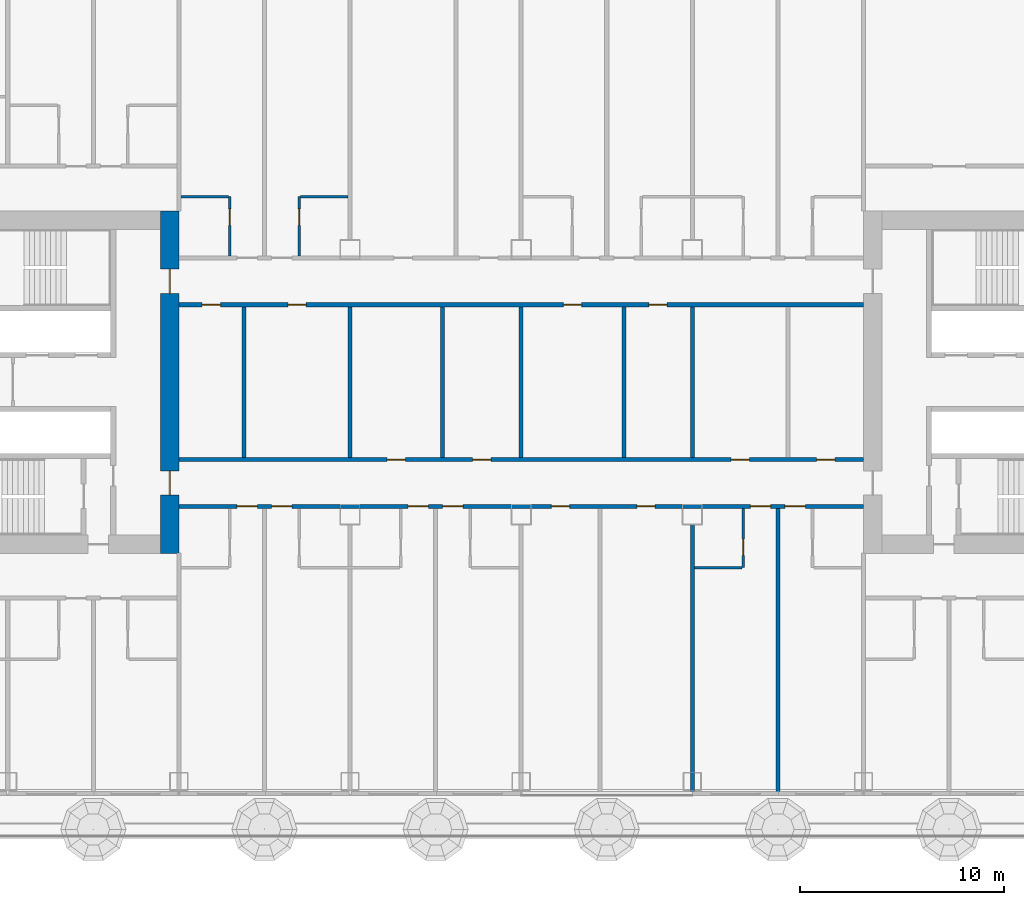
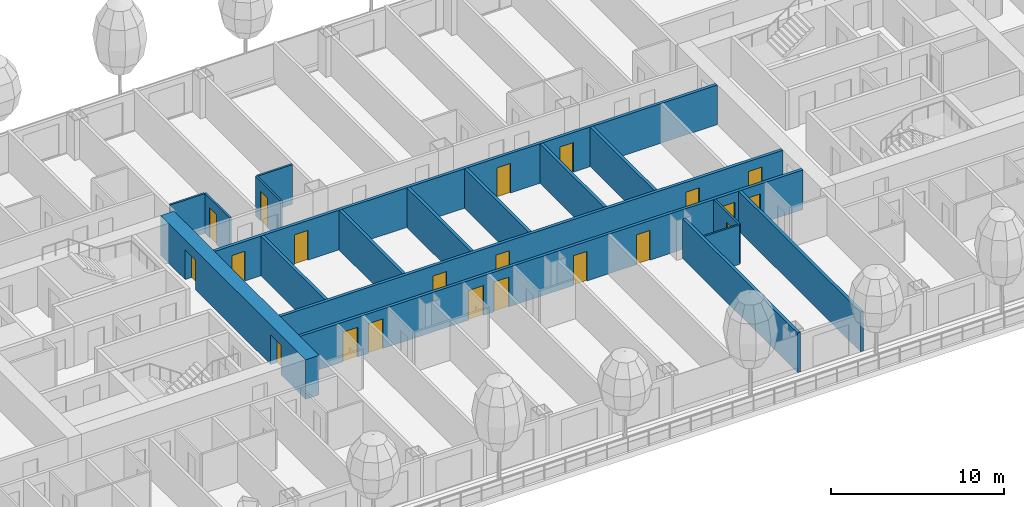
# One storey, part 16 of 37: 21 doors, 18 walls, 21 openings.
"""IFC4 building model written with IfcOpenShell, lengths in metres."""

from ifc_helpers import new_model, si_unit, direction, frame, frame_2d, origin, place, context, subcontext, project, spatial, rectangle, extrude, material, layer, layer_set, type_object, element, fill, save


model = new_model("IFC4")

# Units and contexts
model_context = context("Model", 3, precision=1e-05, world=origin(), true_north=direction((0.0, 1.0)))
body_context = subcontext(model_context, "Body", "Model", "MODEL_VIEW")
ifc_project = project(units=[si_unit("LENGTHUNIT", "METRE"), si_unit("AREAUNIT", "SQUARE_METRE"), si_unit("VOLUMEUNIT", "CUBIC_METRE"), si_unit("PLANEANGLEUNIT", "RADIAN"), si_unit("MASSUNIT", "GRAM", prefix="KILO")], contexts=[model_context])

# Site, building, storey
site_placement = place(None, origin())
site = spatial("IfcSite", under=ifc_project, at=site_placement, CompositionType="ELEMENT")
building_placement = place(site_placement, origin())
building = spatial("IfcBuilding", under=site, at=building_placement, Name="Hakoniwa Tower and Hamabe Station Hall", CompositionType="ELEMENT")
storey_placement = place(building_placement, frame((0.0, 0.0, 39.0)))
storey = spatial("IfcBuildingStorey", under=building, at=storey_placement, Name="L10", CompositionType="ELEMENT", Elevation=39.0)

# Walls
ifc_material_1 = material(Name="Gypsum board partition", Category="gypsum")
ifc_layer_1 = layer(ifc_material_1, 0.125)
ifc_layer_set_1 = layer_set([ifc_layer_1], Name="Bathroom Partition 125")
wall_type_1 = type_object("IfcWallType", Name="Bathroom Partition 125", PredefinedType="PARTITIONING", material=ifc_layer_set_1)
for number, where, z_axis, x_axis, name in (
    (1, (8.5, -9.10009765625, 0.0), (0.0, 0.0, 1.0), (1.0, 0.0, 0.0), "GW-L10-016"),
    (2, (-16.699951171875, 9.10009765625, 0.0), (0.0, 0.0, 1.0), (1.0, 0.0, 0.0), "GW-L10-033"),
    (3, (-10.83740234375, 9.10009765625, 0.0), (0.0, 0.0, 1.0), (1.0, 0.0, 0.0), "GW-L10-034"),
):
    element("IfcWall", number, at=place(storey_placement, frame(where, z_axis=z_axis, x_axis=x_axis)), inside=storey, type_object=wall_type_1, Name=name, PredefinedType="PARTITIONING", context=body_context, shape_type="SweptSolid", body=[
        extrude(rectangle(XDim=2.33740234375, YDim=0.125, at=frame_2d((1.168701171875, 0.0))), origin(), (0.0, 0.0, 1.0), 2.800048828125),
    ])

# Wall, opening, door
wall_1_placement = place(storey_placement, frame((-14.300048828125, 6.199951171875, 0.0), z_axis=(0.0, 0.0, 1.0), x_axis=(0.0, 1.0, 0.0)))
wall_1 = element("IfcWall", 4, at=wall_1_placement, inside=storey, type_object=wall_type_1, Name="GW-L10-079", PredefinedType="PARTITIONING", context=body_context, shape_type="SweptSolid", body=[
    extrude(rectangle(XDim=2.900146484375, YDim=0.125, at=frame_2d((1.4501953125, 0.0))), origin(), (0.0, 0.0, 1.0), 2.800048828125),
])
opening_1_placement = place(wall_1_placement, frame((1.5, 0.0, 0.0)))
opening_1 = element("IfcOpeningElement", 5, at=opening_1_placement, cuts=wall_1, Name="Opening GD-G1B1-79", PredefinedType="OPENING", context=body_context, shape_type="SweptSolid", body=[
    extrude(rectangle(XDim=0.800048828125, YDim=2.10009765625, at=frame_2d((0.39990234375, 1.050048828125))), frame((0.0, 0.072509765625, 0.0), z_axis=(0.0, -1.0, 0.0), x_axis=(1.0, 0.0, 0.0)), (0.0, 0.0, 1.0), 0.14501953125),
])
ifc_material_2 = material(Name="Timber door leaf", Category="wood")
door_type_1 = type_object("IfcDoorType", Name="Bathroom Door 800", OperationType="SINGLE_SWING_LEFT", PredefinedType="DOOR", material=ifc_material_2)
door_1_placement = place(opening_1_placement, origin())
door_1 = element("IfcDoor", 6, at=door_1_placement, inside=storey, type_object=door_type_1, Name="Door GD-G1B1-79", OperationType="SINGLE_SWING_LEFT", OverallHeight=2.10009765625, OverallWidth=0.800048828125, PredefinedType="DOOR", context=body_context, shape_type="SweptSolid", body=[
    extrude(rectangle(XDim=0.800048828125, YDim=2.10009765625, at=frame_2d((0.39990234375, 1.050048828125))), frame((0.0, 0.02490234375, 0.0), z_axis=(0.0, -1.0, 0.0), x_axis=(1.0, 0.0, 0.0)), (0.0, 0.0, 1.0), 0.050048828125),
])
fill(opening_1, door_1)

wall_2_placement = place(storey_placement, frame((-10.89990234375, 6.199951171875, 0.0), z_axis=(0.0, 0.0, 1.0), x_axis=(0.0, 1.0, 0.0)))
wall_2 = element("IfcWall", 7, at=wall_2_placement, inside=storey, type_object=wall_type_1, Name="GW-L10-084", PredefinedType="PARTITIONING", context=body_context, shape_type="SweptSolid", body=[
    extrude(rectangle(XDim=2.900146484375, YDim=0.125, at=frame_2d((1.4501953125, 0.0))), origin(), (0.0, 0.0, 1.0), 2.800048828125),
])
opening_2_placement = place(wall_2_placement, frame((1.5, 0.0, 0.0)))
opening_2 = element("IfcOpeningElement", 8, at=opening_2_placement, cuts=wall_2, Name="Opening GD-G1B1-81", PredefinedType="OPENING", context=body_context, shape_type="SweptSolid", body=[
    extrude(rectangle(XDim=0.800048828125, YDim=2.10009765625, at=frame_2d((0.39990234375, 1.050048828125))), frame((0.0, 0.072509765625, 0.0), z_axis=(0.0, -1.0, 0.0), x_axis=(1.0, 0.0, 0.0)), (0.0, 0.0, 1.0), 0.14501953125),
])
door_2_placement = place(opening_2_placement, origin())
door_2 = element("IfcDoor", 9, at=door_2_placement, inside=storey, type_object=door_type_1, Name="Door GD-G1B1-81", OperationType="SINGLE_SWING_RIGHT", OverallHeight=2.10009765625, OverallWidth=0.800048828125, PredefinedType="DOOR", context=body_context, shape_type="SweptSolid", body=[
    extrude(rectangle(XDim=0.800048828125, YDim=2.10009765625, at=frame_2d((0.39990234375, 1.050048828125))), frame((0.0, 0.02490234375, 0.0), z_axis=(0.0, -1.0, 0.0), x_axis=(1.0, 0.0, 0.0)), (0.0, 0.0, 1.0), 0.050048828125),
])
fill(opening_2, door_2)

wall_3_placement = place(storey_placement, frame((10.89990234375, -9.10009765625, 0.0), z_axis=(0.0, 0.0, 1.0), x_axis=(0.0, 1.0, 0.0)))
wall_3 = element("IfcWall", 10, at=wall_3_placement, inside=storey, type_object=wall_type_1, Name="GW-L10-104", PredefinedType="PARTITIONING", context=body_context, shape_type="SweptSolid", body=[
    extrude(rectangle(XDim=2.900146484375, YDim=0.125, at=frame_2d((1.4501953125, 0.0))), origin(), (0.0, 0.0, 1.0), 2.800048828125),
])
opening_3_placement = place(wall_3_placement, frame((0.60009765625, 0.0, 0.0)))
opening_3 = element("IfcOpeningElement", 11, at=opening_3_placement, cuts=wall_3, Name="Opening GD-G1B1-86", PredefinedType="OPENING", context=body_context, shape_type="SweptSolid", body=[
    extrude(rectangle(XDim=0.800048828125, YDim=2.10009765625, at=frame_2d((0.39990234375, 1.050048828125))), frame((0.0, 0.072509765625, 0.0), z_axis=(0.0, -1.0, 0.0), x_axis=(1.0, 0.0, 0.0)), (0.0, 0.0, 1.0), 0.14501953125),
])
door_3_placement = place(opening_3_placement, origin())
door_3 = element("IfcDoor", 12, at=door_3_placement, inside=storey, type_object=door_type_1, Name="Door GD-G1B1-86", OperationType="SINGLE_SWING_RIGHT", OverallHeight=2.10009765625, OverallWidth=0.800048828125, PredefinedType="DOOR", context=body_context, shape_type="SweptSolid", body=[
    extrude(rectangle(XDim=0.800048828125, YDim=2.10009765625, at=frame_2d((0.39990234375, 1.050048828125))), frame((0.0, 0.02490234375, 0.0), z_axis=(0.0, -1.0, 0.0), x_axis=(1.0, 0.0, 0.0)), (0.0, 0.0, 1.0), 0.050048828125),
])
fill(opening_3, door_3)

# Wall, openings, doors
ifc_material_3 = material(Name="Concrete C80", Category="concrete")
ifc_layer_2 = layer(ifc_material_3, 0.89990234375)
ifc_layer_set_2 = layer_set([ifc_layer_2], Name="CORE WALL 900 C80")
wall_type_2 = type_object("IfcWallType", Name="CORE WALL 900 C80", PredefinedType="SHEAR", material=ifc_layer_set_2)
wall_4_placement = place(storey_placement, frame((-17.25, -8.39990234375, 0.0), z_axis=(0.0, 0.0, 1.0), x_axis=(0.0, 1.0, 0.0)))
wall_4 = element("IfcWall", 13, at=wall_4_placement, inside=storey, type_object=wall_type_2, Name="Core wall INNER west", PredefinedType="SHEAR", context=body_context, shape_type="SweptSolid", body=[
    extrude(rectangle(XDim=16.7998046875, YDim=0.89990234375, at=frame_2d((8.39990234375, 0.0))), origin(), (0.0, 0.0, 1.0), 2.800048828125),
])
opening_4_placement = place(wall_4_placement, frame((12.75, 0.0, 0.0)))
opening_4 = element("IfcOpeningElement", 14, at=opening_4_placement, cuts=wall_4, Name="Opening CD-W-IN1-12", PredefinedType="OPENING", context=body_context, shape_type="SweptSolid", body=[
    extrude(rectangle(XDim=1.199951171875, YDim=2.10009765625, at=frame_2d((0.60009765625, 1.050048828125))), frame((0.0, 0.4599609375, 0.0), z_axis=(0.0, -1.0, 0.0), x_axis=(1.0, 0.0, 0.0)), (0.0, 0.0, 1.0), 0.919921875),
])
opening_5_placement = place(wall_4_placement, frame((2.85009765625, 0.0, 0.0)))
opening_5 = element("IfcOpeningElement", 15, at=opening_5_placement, cuts=wall_4, Name="Opening CD-W-IN2-12", PredefinedType="OPENING", context=body_context, shape_type="SweptSolid", body=[
    extrude(rectangle(XDim=1.199951171875, YDim=2.10009765625, at=frame_2d((0.60009765625, 1.050048828125))), frame((0.0, 0.4599609375, 0.0), z_axis=(0.0, -1.0, 0.0), x_axis=(1.0, 0.0, 0.0)), (0.0, 0.0, 1.0), 0.919921875),
])
ifc_material_4 = material(Name="Steel fire door", Category="steel")
door_type_2 = type_object("IfcDoorType", Name="CORE DOOR 1200 FD60", OperationType="DOUBLE_DOOR_SINGLE_SWING", PredefinedType="DOOR", material=ifc_material_4)
door_4_placement = place(opening_4_placement, origin())
door_4 = element("IfcDoor", 16, at=door_4_placement, inside=storey, type_object=door_type_2, Name="Lift lobby door", OperationType="DOUBLE_DOOR_SINGLE_SWING", OverallHeight=2.10009765625, OverallWidth=1.199951171875, PredefinedType="DOOR", context=body_context, shape_type="SweptSolid", body=[
    extrude(rectangle(XDim=1.199951171875, YDim=2.10009765625, at=frame_2d((0.60009765625, 1.050048828125))), frame((0.0, 0.02490234375, 0.0), z_axis=(0.0, -1.0, 0.0), x_axis=(1.0, 0.0, 0.0)), (0.0, 0.0, 1.0), 0.050048828125),
])
fill(opening_4, door_4)
door_5_placement = place(opening_5_placement, origin())
door_5 = element("IfcDoor", 17, at=door_5_placement, inside=storey, type_object=door_type_2, Name="Lift lobby door", OperationType="DOUBLE_DOOR_SINGLE_SWING", OverallHeight=2.10009765625, OverallWidth=1.199951171875, PredefinedType="DOOR", context=body_context, shape_type="SweptSolid", body=[
    extrude(rectangle(XDim=1.199951171875, YDim=2.10009765625, at=frame_2d((0.60009765625, 1.050048828125))), frame((0.0, 0.02490234375, 0.0), z_axis=(0.0, -1.0, 0.0), x_axis=(1.0, 0.0, 0.0)), (0.0, 0.0, 1.0), 0.050048828125),
])
fill(opening_5, door_5)

ifc_material_5 = material(Name="Fire-rated gypsum board partition", Category="gypsum")
ifc_layer_3 = layer(ifc_material_5, 0.199951171875)
ifc_layer_set_3 = layer_set([ifc_layer_3], Name="Corridor Wall 200")
wall_type_3 = type_object("IfcWallType", Name="Corridor Wall 200", PredefinedType="PARTITIONING", material=ifc_layer_set_3)
wall_5_placement = place(storey_placement, frame((-16.800048828125, -6.10009765625, 0.0), z_axis=(0.0, 0.0, 1.0), x_axis=(1.0, 0.0, 0.0)))
wall_5 = element("IfcWall", 18, at=wall_5_placement, inside=storey, type_object=wall_type_3, Name="GW-L10-020", PredefinedType="PARTITIONING", context=body_context, shape_type="SweptSolid", body=[
    extrude(rectangle(XDim=33.60009765625, YDim=0.199951171875, at=frame_2d((16.800048828125, 0.0))), origin(), (0.0, 0.0, 1.0), 2.800048828125),
])
opening_6_placement = place(wall_5_placement, frame((2.85009765625, 0.0, 0.0)))
opening_6 = element("IfcOpeningElement", 19, at=opening_6_placement, cuts=wall_5, Name="Opening GD-G1B1-21", PredefinedType="OPENING", context=body_context, shape_type="SweptSolid", body=[
    extrude(rectangle(XDim=1.0, YDim=2.10009765625, at=frame_2d((0.5, 1.050048828125))), frame((0.0, 0.10986328125, 0.0), z_axis=(0.0, -1.0, 0.0), x_axis=(1.0, 0.0, 0.0)), (0.0, 0.0, 1.0), 0.219970703125),
])
opening_7_placement = place(wall_5_placement, frame((4.550048828125, 0.0, 0.0)))
opening_7 = element("IfcOpeningElement", 20, at=opening_7_placement, cuts=wall_5, Name="Opening GD-G1B1-22", PredefinedType="OPENING", context=body_context, shape_type="SweptSolid", body=[
    extrude(rectangle(XDim=1.0, YDim=2.10009765625, at=frame_2d((0.5, 1.050048828125))), frame((0.0, 0.10986328125, 0.0), z_axis=(0.0, -1.0, 0.0), x_axis=(1.0, 0.0, 0.0)), (0.0, 0.0, 1.0), 0.219970703125),
])
opening_8_placement = place(wall_5_placement, frame((11.25, 0.0, 0.0)))
opening_8 = element("IfcOpeningElement", 21, at=opening_8_placement, cuts=wall_5, Name="Opening GD-G1B1-23", PredefinedType="OPENING", context=body_context, shape_type="SweptSolid", body=[
    extrude(rectangle(XDim=1.0, YDim=2.10009765625, at=frame_2d((0.5, 1.050048828125))), frame((0.0, 0.10986328125, 0.0), z_axis=(0.0, -1.0, 0.0), x_axis=(1.0, 0.0, 0.0)), (0.0, 0.0, 1.0), 0.219970703125),
])
opening_9_placement = place(wall_5_placement, frame((12.949951171875, 0.0, 0.0)))
opening_9 = element("IfcOpeningElement", 22, at=opening_9_placement, cuts=wall_5, Name="Opening GD-G1B1-24", PredefinedType="OPENING", context=body_context, shape_type="SweptSolid", body=[
    extrude(rectangle(XDim=1.0, YDim=2.10009765625, at=frame_2d((0.5, 1.050048828125))), frame((0.0, 0.10986328125, 0.0), z_axis=(0.0, -1.0, 0.0), x_axis=(1.0, 0.0, 0.0)), (0.0, 0.0, 1.0), 0.219970703125),
])
opening_10_placement = place(wall_5_placement, frame((18.280029296875, 0.0, 0.0)))
opening_10 = element("IfcOpeningElement", 23, at=opening_10_placement, cuts=wall_5, Name="Opening GD-G1B1-25", PredefinedType="OPENING", context=body_context, shape_type="SweptSolid", body=[
    extrude(rectangle(XDim=0.89990234375, YDim=2.10009765625, at=frame_2d((0.449951171875, 1.050048828125))), frame((0.0, 0.10986328125, 0.0), z_axis=(0.0, -1.0, 0.0), x_axis=(1.0, 0.0, 0.0)), (0.0, 0.0, 1.0), 0.219970703125),
])
opening_11_placement = place(wall_5_placement, frame((22.47998046875, 0.0, 0.0)))
opening_11 = element("IfcOpeningElement", 24, at=opening_11_placement, cuts=wall_5, Name="Opening GD-G1B1-26", PredefinedType="OPENING", context=body_context, shape_type="SweptSolid", body=[
    extrude(rectangle(XDim=0.89990234375, YDim=2.10009765625, at=frame_2d((0.449951171875, 1.050048828125))), frame((0.0, 0.10986328125, 0.0), z_axis=(0.0, -1.0, 0.0), x_axis=(1.0, 0.0, 0.0)), (0.0, 0.0, 1.0), 0.219970703125),
])
opening_12_placement = place(wall_5_placement, frame((28.050048828125, 0.0, 0.0)))
opening_12 = element("IfcOpeningElement", 25, at=opening_12_placement, cuts=wall_5, Name="Opening GD-G1B1-27", PredefinedType="OPENING", context=body_context, shape_type="SweptSolid", body=[
    extrude(rectangle(XDim=1.0, YDim=2.10009765625, at=frame_2d((0.5, 1.050048828125))), frame((0.0, 0.10986328125, 0.0), z_axis=(0.0, -1.0, 0.0), x_axis=(1.0, 0.0, 0.0)), (0.0, 0.0, 1.0), 0.219970703125),
])
opening_13_placement = place(wall_5_placement, frame((29.75, 0.0, 0.0)))
opening_13 = element("IfcOpeningElement", 26, at=opening_13_placement, cuts=wall_5, Name="Opening GD-G1B1-28", PredefinedType="OPENING", context=body_context, shape_type="SweptSolid", body=[
    extrude(rectangle(XDim=1.0, YDim=2.10009765625, at=frame_2d((0.5, 1.050048828125))), frame((0.0, 0.10986328125, 0.0), z_axis=(0.0, -1.0, 0.0), x_axis=(1.0, 0.0, 0.0)), (0.0, 0.0, 1.0), 0.219970703125),
])
ifc_material_6 = material(Name="Timber door leaf", Category="wood")
door_type_3 = type_object("IfcDoorType", Name="Guest Entrance Door 1000", OperationType="SINGLE_SWING_LEFT", PredefinedType="DOOR", material=ifc_material_6)
door_6_placement = place(opening_6_placement, origin())
door_6 = element("IfcDoor", 27, at=door_6_placement, inside=storey, type_object=door_type_3, Name="Door GD-G1B1-21", OperationType="SINGLE_SWING_RIGHT", OverallHeight=2.10009765625, OverallWidth=1.0, PredefinedType="DOOR", context=body_context, shape_type="SweptSolid", body=[
    extrude(rectangle(XDim=1.0, YDim=2.10009765625, at=frame_2d((0.5, 1.050048828125))), frame((0.0, 0.02490234375, 0.0), z_axis=(0.0, -1.0, 0.0), x_axis=(1.0, 0.0, 0.0)), (0.0, 0.0, 1.0), 0.050048828125),
])
fill(opening_6, door_6)
door_7_placement = place(opening_7_placement, origin())
door_7 = element("IfcDoor", 28, at=door_7_placement, inside=storey, type_object=door_type_3, Name="Door GD-G1B1-22", OperationType="SINGLE_SWING_LEFT", OverallHeight=2.10009765625, OverallWidth=1.0, PredefinedType="DOOR", context=body_context, shape_type="SweptSolid", body=[
    extrude(rectangle(XDim=1.0, YDim=2.10009765625, at=frame_2d((0.5, 1.050048828125))), frame((0.0, 0.02490234375, 0.0), z_axis=(0.0, -1.0, 0.0), x_axis=(1.0, 0.0, 0.0)), (0.0, 0.0, 1.0), 0.050048828125),
])
fill(opening_7, door_7)
door_8_placement = place(opening_8_placement, origin())
door_8 = element("IfcDoor", 29, at=door_8_placement, inside=storey, type_object=door_type_3, Name="Door GD-G1B1-23", OperationType="SINGLE_SWING_RIGHT", OverallHeight=2.10009765625, OverallWidth=1.0, PredefinedType="DOOR", context=body_context, shape_type="SweptSolid", body=[
    extrude(rectangle(XDim=1.0, YDim=2.10009765625, at=frame_2d((0.5, 1.050048828125))), frame((0.0, 0.02490234375, 0.0), z_axis=(0.0, -1.0, 0.0), x_axis=(1.0, 0.0, 0.0)), (0.0, 0.0, 1.0), 0.050048828125),
])
fill(opening_8, door_8)
door_9_placement = place(opening_9_placement, origin())
door_9 = element("IfcDoor", 30, at=door_9_placement, inside=storey, type_object=door_type_3, Name="Door GD-G1B1-24", OperationType="SINGLE_SWING_LEFT", OverallHeight=2.10009765625, OverallWidth=1.0, PredefinedType="DOOR", context=body_context, shape_type="SweptSolid", body=[
    extrude(rectangle(XDim=1.0, YDim=2.10009765625, at=frame_2d((0.5, 1.050048828125))), frame((0.0, 0.02490234375, 0.0), z_axis=(0.0, -1.0, 0.0), x_axis=(1.0, 0.0, 0.0)), (0.0, 0.0, 1.0), 0.050048828125),
])
fill(opening_9, door_9)
door_10_placement = place(opening_12_placement, origin())
door_10 = element("IfcDoor", 31, at=door_10_placement, inside=storey, type_object=door_type_3, Name="Door GD-G1B1-27", OperationType="SINGLE_SWING_RIGHT", OverallHeight=2.10009765625, OverallWidth=1.0, PredefinedType="DOOR", context=body_context, shape_type="SweptSolid", body=[
    extrude(rectangle(XDim=1.0, YDim=2.10009765625, at=frame_2d((0.5, 1.050048828125))), frame((0.0, 0.02490234375, 0.0), z_axis=(0.0, -1.0, 0.0), x_axis=(1.0, 0.0, 0.0)), (0.0, 0.0, 1.0), 0.050048828125),
])
fill(opening_12, door_10)
door_11_placement = place(opening_13_placement, origin())
door_11 = element("IfcDoor", 32, at=door_11_placement, inside=storey, type_object=door_type_3, Name="Door GD-G1B1-28", OperationType="SINGLE_SWING_LEFT", OverallHeight=2.10009765625, OverallWidth=1.0, PredefinedType="DOOR", context=body_context, shape_type="SweptSolid", body=[
    extrude(rectangle(XDim=1.0, YDim=2.10009765625, at=frame_2d((0.5, 1.050048828125))), frame((0.0, 0.02490234375, 0.0), z_axis=(0.0, -1.0, 0.0), x_axis=(1.0, 0.0, 0.0)), (0.0, 0.0, 1.0), 0.050048828125),
])
fill(opening_13, door_11)
ifc_material_7 = material(Name="Timber door leaf", Category="wood")
door_type_4 = type_object("IfcDoorType", Name="Service Door 900", OperationType="SINGLE_SWING_LEFT", PredefinedType="DOOR", material=ifc_material_7)
door_12_placement = place(opening_10_placement, origin())
door_12 = element("IfcDoor", 33, at=door_12_placement, inside=storey, type_object=door_type_4, Name="Door GD-G1B1-25", OperationType="SINGLE_SWING_RIGHT", OverallHeight=2.10009765625, OverallWidth=0.89990234375, PredefinedType="DOOR", context=body_context, shape_type="SweptSolid", body=[
    extrude(rectangle(XDim=0.89990234375, YDim=2.10009765625, at=frame_2d((0.449951171875, 1.050048828125))), frame((0.0, 0.02490234375, 0.0), z_axis=(0.0, -1.0, 0.0), x_axis=(1.0, 0.0, 0.0)), (0.0, 0.0, 1.0), 0.050048828125),
])
fill(opening_10, door_12)
door_13_placement = place(opening_11_placement, origin())
door_13 = element("IfcDoor", 34, at=door_13_placement, inside=storey, type_object=door_type_4, Name="Door GD-G1B1-26", OperationType="SINGLE_SWING_LEFT", OverallHeight=2.10009765625, OverallWidth=0.89990234375, PredefinedType="DOOR", context=body_context, shape_type="SweptSolid", body=[
    extrude(rectangle(XDim=0.89990234375, YDim=2.10009765625, at=frame_2d((0.449951171875, 1.050048828125))), frame((0.0, 0.02490234375, 0.0), z_axis=(0.0, -1.0, 0.0), x_axis=(1.0, 0.0, 0.0)), (0.0, 0.0, 1.0), 0.050048828125),
])
fill(opening_11, door_13)

wall_6_placement = place(storey_placement, frame((-16.800048828125, -3.800048828125, 0.0), z_axis=(0.0, 0.0, 1.0), x_axis=(1.0, 0.0, 0.0)))
wall_6 = element("IfcWall", 35, at=wall_6_placement, inside=storey, type_object=wall_type_3, Name="GW-L10-024", PredefinedType="PARTITIONING", context=body_context, shape_type="SweptSolid", body=[
    extrude(rectangle(XDim=33.60009765625, YDim=0.199951171875, at=frame_2d((16.800048828125, 0.0))), origin(), (0.0, 0.0, 1.0), 2.800048828125),
])
opening_14_placement = place(wall_6_placement, frame((10.219970703125, 0.0, 0.0)))
opening_14 = element("IfcOpeningElement", 36, at=opening_14_placement, cuts=wall_6, Name="Opening GD-G1B1-33", PredefinedType="OPENING", context=body_context, shape_type="SweptSolid", body=[
    extrude(rectangle(XDim=0.89990234375, YDim=2.10009765625, at=frame_2d((0.449951171875, 1.050048828125))), frame((0.0, 0.10986328125, 0.0), z_axis=(0.0, -1.0, 0.0), x_axis=(1.0, 0.0, 0.0)), (0.0, 0.0, 1.0), 0.219970703125),
])
opening_15_placement = place(wall_6_placement, frame((14.419921875, 0.0, 0.0)))
opening_15 = element("IfcOpeningElement", 37, at=opening_15_placement, cuts=wall_6, Name="Opening GD-G1B1-34", PredefinedType="OPENING", context=body_context, shape_type="SweptSolid", body=[
    extrude(rectangle(XDim=0.89990234375, YDim=2.10009765625, at=frame_2d((0.449951171875, 1.050048828125))), frame((0.0, 0.10986328125, 0.0), z_axis=(0.0, -1.0, 0.0), x_axis=(1.0, 0.0, 0.0)), (0.0, 0.0, 1.0), 0.219970703125),
])
opening_16_placement = place(wall_6_placement, frame((27.10009765625, 0.0, 0.0)))
opening_16 = element("IfcOpeningElement", 38, at=opening_16_placement, cuts=wall_6, Name="Opening GD-G1B1-35", PredefinedType="OPENING", context=body_context, shape_type="SweptSolid", body=[
    extrude(rectangle(XDim=0.89990234375, YDim=2.10009765625, at=frame_2d((0.449951171875, 1.050048828125))), frame((0.0, 0.10986328125, 0.0), z_axis=(0.0, -1.0, 0.0), x_axis=(1.0, 0.0, 0.0)), (0.0, 0.0, 1.0), 0.219970703125),
])
opening_17_placement = place(wall_6_placement, frame((31.300048828125, 0.0, 0.0)))
opening_17 = element("IfcOpeningElement", 39, at=opening_17_placement, cuts=wall_6, Name="Opening GD-G1B1-36", PredefinedType="OPENING", context=body_context, shape_type="SweptSolid", body=[
    extrude(rectangle(XDim=0.89990234375, YDim=2.10009765625, at=frame_2d((0.449951171875, 1.050048828125))), frame((0.0, 0.10986328125, 0.0), z_axis=(0.0, -1.0, 0.0), x_axis=(1.0, 0.0, 0.0)), (0.0, 0.0, 1.0), 0.219970703125),
])
door_14_placement = place(opening_14_placement, origin())
door_14 = element("IfcDoor", 40, at=door_14_placement, inside=storey, type_object=door_type_4, Name="Door GD-G1B1-33", OperationType="SINGLE_SWING_RIGHT", OverallHeight=2.10009765625, OverallWidth=0.89990234375, PredefinedType="DOOR", context=body_context, shape_type="SweptSolid", body=[
    extrude(rectangle(XDim=0.89990234375, YDim=2.10009765625, at=frame_2d((0.449951171875, 1.050048828125))), frame((0.0, 0.02490234375, 0.0), z_axis=(0.0, -1.0, 0.0), x_axis=(1.0, 0.0, 0.0)), (0.0, 0.0, 1.0), 0.050048828125),
])
fill(opening_14, door_14)
door_15_placement = place(opening_15_placement, origin())
door_15 = element("IfcDoor", 41, at=door_15_placement, inside=storey, type_object=door_type_4, Name="Door GD-G1B1-34", OperationType="SINGLE_SWING_LEFT", OverallHeight=2.10009765625, OverallWidth=0.89990234375, PredefinedType="DOOR", context=body_context, shape_type="SweptSolid", body=[
    extrude(rectangle(XDim=0.89990234375, YDim=2.10009765625, at=frame_2d((0.449951171875, 1.050048828125))), frame((0.0, 0.02490234375, 0.0), z_axis=(0.0, -1.0, 0.0), x_axis=(1.0, 0.0, 0.0)), (0.0, 0.0, 1.0), 0.050048828125),
])
fill(opening_15, door_15)
door_16_placement = place(opening_16_placement, origin())
door_16 = element("IfcDoor", 42, at=door_16_placement, inside=storey, type_object=door_type_4, Name="Door GD-G1B1-35", OperationType="SINGLE_SWING_RIGHT", OverallHeight=2.10009765625, OverallWidth=0.89990234375, PredefinedType="DOOR", context=body_context, shape_type="SweptSolid", body=[
    extrude(rectangle(XDim=0.89990234375, YDim=2.10009765625, at=frame_2d((0.449951171875, 1.050048828125))), frame((0.0, 0.02490234375, 0.0), z_axis=(0.0, -1.0, 0.0), x_axis=(1.0, 0.0, 0.0)), (0.0, 0.0, 1.0), 0.050048828125),
])
fill(opening_16, door_16)
door_17_placement = place(opening_17_placement, origin())
door_17 = element("IfcDoor", 43, at=door_17_placement, inside=storey, type_object=door_type_4, Name="Door GD-G1B1-36", OperationType="SINGLE_SWING_RIGHT", OverallHeight=2.10009765625, OverallWidth=0.89990234375, PredefinedType="DOOR", context=body_context, shape_type="SweptSolid", body=[
    extrude(rectangle(XDim=0.89990234375, YDim=2.10009765625, at=frame_2d((0.449951171875, 1.050048828125))), frame((0.0, 0.02490234375, 0.0), z_axis=(0.0, -1.0, 0.0), x_axis=(1.0, 0.0, 0.0)), (0.0, 0.0, 1.0), 0.050048828125),
])
fill(opening_17, door_17)

wall_7_placement = place(storey_placement, frame((-16.800048828125, 3.800048828125, 0.0), z_axis=(0.0, 0.0, 1.0), x_axis=(1.0, 0.0, 0.0)))
wall_7 = element("IfcWall", 44, at=wall_7_placement, inside=storey, type_object=wall_type_3, Name="GW-L10-027", PredefinedType="PARTITIONING", context=body_context, shape_type="SweptSolid", body=[
    extrude(rectangle(XDim=33.60009765625, YDim=0.199951171875, at=frame_2d((16.800048828125, 0.0))), origin(), (0.0, 0.0, 1.0), 2.800048828125),
])
opening_18_placement = place(wall_7_placement, frame((1.14501953125, 0.0, 0.0)))
opening_18 = element("IfcOpeningElement", 45, at=opening_18_placement, cuts=wall_7, Name="Opening GD-G1B1-37", PredefinedType="OPENING", context=body_context, shape_type="SweptSolid", body=[
    extrude(rectangle(XDim=0.89990234375, YDim=2.10009765625, at=frame_2d((0.449951171875, 1.050048828125))), frame((0.0, 0.10986328125, 0.0), z_axis=(0.0, -1.0, 0.0), x_axis=(1.0, 0.0, 0.0)), (0.0, 0.0, 1.0), 0.219970703125),
])
opening_19_placement = place(wall_7_placement, frame((5.344970703125, 0.0, 0.0)))
opening_19 = element("IfcOpeningElement", 46, at=opening_19_placement, cuts=wall_7, Name="Opening GD-G1B1-38", PredefinedType="OPENING", context=body_context, shape_type="SweptSolid", body=[
    extrude(rectangle(XDim=0.89990234375, YDim=2.10009765625, at=frame_2d((0.449951171875, 1.050048828125))), frame((0.0, 0.10986328125, 0.0), z_axis=(0.0, -1.0, 0.0), x_axis=(1.0, 0.0, 0.0)), (0.0, 0.0, 1.0), 0.219970703125),
])
opening_20_placement = place(wall_7_placement, frame((18.8701171875, 0.0, 0.0)))
opening_20 = element("IfcOpeningElement", 47, at=opening_20_placement, cuts=wall_7, Name="Opening GD-G1B1-39", PredefinedType="OPENING", context=body_context, shape_type="SweptSolid", body=[
    extrude(rectangle(XDim=0.89990234375, YDim=2.10009765625, at=frame_2d((0.449951171875, 1.050048828125))), frame((0.0, 0.10986328125, 0.0), z_axis=(0.0, -1.0, 0.0), x_axis=(1.0, 0.0, 0.0)), (0.0, 0.0, 1.0), 0.219970703125),
])
opening_21_placement = place(wall_7_placement, frame((23.070068359375, 0.0, 0.0)))
opening_21 = element("IfcOpeningElement", 48, at=opening_21_placement, cuts=wall_7, Name="Opening GD-G1B1-40", PredefinedType="OPENING", context=body_context, shape_type="SweptSolid", body=[
    extrude(rectangle(XDim=0.89990234375, YDim=2.10009765625, at=frame_2d((0.449951171875, 1.050048828125))), frame((0.0, 0.10986328125, 0.0), z_axis=(0.0, -1.0, 0.0), x_axis=(1.0, 0.0, 0.0)), (0.0, 0.0, 1.0), 0.219970703125),
])
door_18_placement = place(opening_18_placement, origin())
door_18 = element("IfcDoor", 49, at=door_18_placement, inside=storey, type_object=door_type_4, Name="Door GD-G1B1-37", OperationType="SINGLE_SWING_RIGHT", OverallHeight=2.10009765625, OverallWidth=0.89990234375, PredefinedType="DOOR", context=body_context, shape_type="SweptSolid", body=[
    extrude(rectangle(XDim=0.89990234375, YDim=2.10009765625, at=frame_2d((0.449951171875, 1.050048828125))), frame((0.0, 0.02490234375, 0.0), z_axis=(0.0, -1.0, 0.0), x_axis=(1.0, 0.0, 0.0)), (0.0, 0.0, 1.0), 0.050048828125),
])
fill(opening_18, door_18)
door_19_placement = place(opening_19_placement, origin())
door_19 = element("IfcDoor", 50, at=door_19_placement, inside=storey, type_object=door_type_4, Name="Door GD-G1B1-38", OperationType="SINGLE_SWING_RIGHT", OverallHeight=2.10009765625, OverallWidth=0.89990234375, PredefinedType="DOOR", context=body_context, shape_type="SweptSolid", body=[
    extrude(rectangle(XDim=0.89990234375, YDim=2.10009765625, at=frame_2d((0.449951171875, 1.050048828125))), frame((0.0, 0.02490234375, 0.0), z_axis=(0.0, -1.0, 0.0), x_axis=(1.0, 0.0, 0.0)), (0.0, 0.0, 1.0), 0.050048828125),
])
fill(opening_19, door_19)
door_20_placement = place(opening_20_placement, origin())
door_20 = element("IfcDoor", 51, at=door_20_placement, inside=storey, type_object=door_type_4, Name="Door GD-G1B1-39", OperationType="SINGLE_SWING_LEFT", OverallHeight=2.10009765625, OverallWidth=0.89990234375, PredefinedType="DOOR", context=body_context, shape_type="SweptSolid", body=[
    extrude(rectangle(XDim=0.89990234375, YDim=2.10009765625, at=frame_2d((0.449951171875, 1.050048828125))), frame((0.0, 0.02490234375, 0.0), z_axis=(0.0, -1.0, 0.0), x_axis=(1.0, 0.0, 0.0)), (0.0, 0.0, 1.0), 0.050048828125),
])
fill(opening_20, door_20)
door_21_placement = place(opening_21_placement, origin())
door_21 = element("IfcDoor", 52, at=door_21_placement, inside=storey, type_object=door_type_4, Name="Door GD-G1B1-40", OperationType="SINGLE_SWING_LEFT", OverallHeight=2.10009765625, OverallWidth=0.89990234375, PredefinedType="DOOR", context=body_context, shape_type="SweptSolid", body=[
    extrude(rectangle(XDim=0.89990234375, YDim=2.10009765625, at=frame_2d((0.449951171875, 1.050048828125))), frame((0.0, 0.02490234375, 0.0), z_axis=(0.0, -1.0, 0.0), x_axis=(1.0, 0.0, 0.0)), (0.0, 0.0, 1.0), 0.050048828125),
])
fill(opening_21, door_21)

# Walls
ifc_material_8 = material(Name="Fire-rated gypsum board partition", Category="gypsum")
ifc_layer_4 = layer(ifc_material_8, 0.199951171875)
ifc_layer_set_4 = layer_set([ifc_layer_4], Name="Party Wall 200")
wall_type_4 = type_object("IfcWallType", Name="Party Wall 200", PredefinedType="PARTITIONING", material=ifc_layer_set_4)
for number, where, z_axis, x_axis, name in (
    (53, (-13.610107421875, -3.699951171875, 0.0), (0.0, 0.0, 1.0), (0.0, 1.0, 0.0), "GW-L10-080"),
    (54, (-8.39990234375, -3.699951171875, 0.0), (0.0, 0.0, 1.0), (0.0, 1.0, 0.0), "GW-L10-086"),
    (55, (-3.860107421875, -3.699951171875, 0.0), (0.0, 0.0, 1.0), (0.0, 1.0, 0.0), "GW-L10-090"),
    (56, (0.0, -3.699951171875, 0.0), (0.0, 0.0, 1.0), (0.0, 1.0, 0.0), "GW-L10-094"),
    (57, (5.0400390625, -3.699951171875, 0.0), (0.0, 0.0, 1.0), (0.0, 1.0, 0.0), "GW-L10-099"),
):
    element("IfcWall", number, at=place(storey_placement, frame(where, z_axis=z_axis, x_axis=x_axis)), inside=storey, type_object=wall_type_4, Name=name, PredefinedType="PARTITIONING", context=body_context, shape_type="SweptSolid", body=[
        extrude(rectangle(XDim=7.39990234375, YDim=0.199951171875, at=frame_2d((3.699951171875, 0.0))), origin(), (0.0, 0.0, 1.0), 2.800048828125),
    ])
wall_8_placement = place(storey_placement, frame((8.39990234375, -20.300048828125, 0.0), z_axis=(0.0, 0.0, 1.0), x_axis=(0.0, 1.0, 0.0)))
element("IfcWall", 58, at=wall_8_placement, inside=storey, type_object=wall_type_4, Name="GW-L10-101", PredefinedType="PARTITIONING", context=body_context, shape_type="SweptSolid", body=[
    extrude(rectangle(XDim=13.31005859375, YDim=0.199951171875, at=frame_2d((6.655029296875, 0.0))), origin(), (0.0, 0.0, 1.0), 2.800048828125),
])
wall_9_placement = place(storey_placement, frame((8.39990234375, -3.699951171875, 0.0), z_axis=(0.0, 0.0, 1.0), x_axis=(0.0, 1.0, 0.0)))
element("IfcWall", 59, at=wall_9_placement, inside=storey, type_object=wall_type_4, Name="GW-L10-102", PredefinedType="PARTITIONING", context=body_context, shape_type="SweptSolid", body=[
    extrude(rectangle(XDim=7.39990234375, YDim=0.199951171875, at=frame_2d((3.699951171875, 0.0))), origin(), (0.0, 0.0, 1.0), 2.800048828125),
])
wall_10_placement = place(storey_placement, frame((12.60009765625, -20.300048828125, 0.0), z_axis=(0.0, 0.0, 1.0), x_axis=(0.0, 1.0, 0.0)))
element("IfcWall", 60, at=wall_10_placement, inside=storey, type_object=wall_type_4, Name="GW-L10-106", PredefinedType="PARTITIONING", context=body_context, shape_type="SweptSolid", body=[
    extrude(rectangle(XDim=14.10009765625, YDim=0.199951171875, at=frame_2d((7.050048828125, 0.0))), origin(), (0.0, 0.0, 1.0), 2.800048828125),
])

save(model, "model.ifc")
